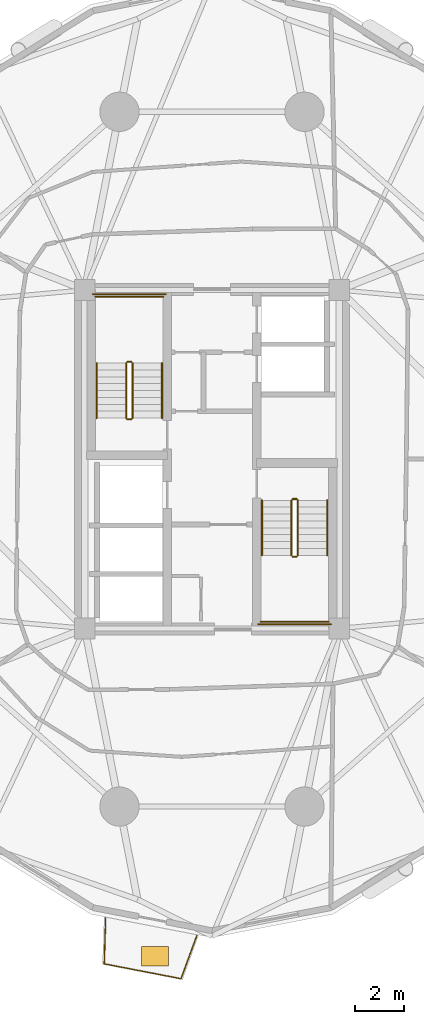
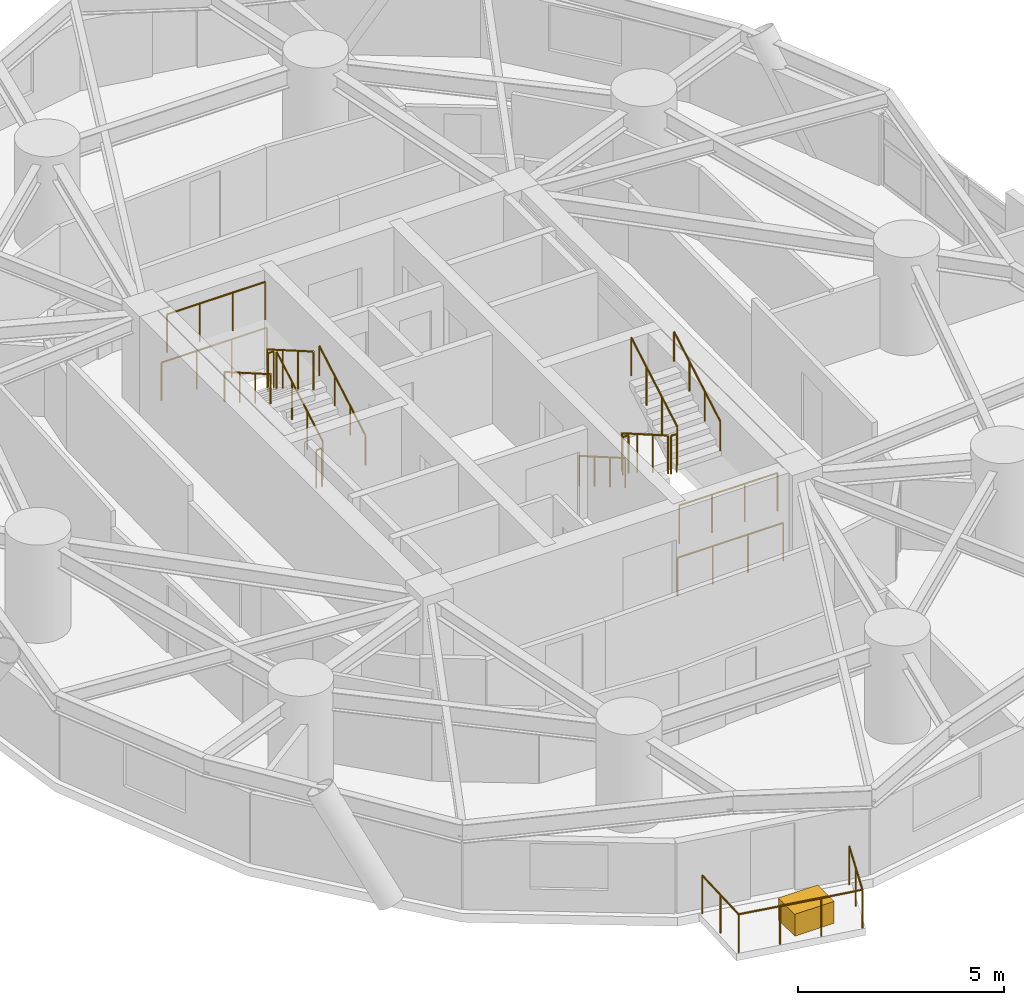
# One storey, part 15 of 17: 17 railings, 1 covering.
"""IFC4 building model written with IfcOpenShell, lengths in metres."""

from ifc_helpers import new_model, si_unit, direction, frame, origin, origin_2d, place, context, subcontext, project, spatial, rectangle, circle, extrude, source, transform, mapped, material, layer, layer_set, type_object, element, save


model = new_model("IFC4")

# Units and contexts
model_context = context("Model", 3, precision=1e-05, world=origin(), true_north=direction((0.0, 1.0)))
body_context = subcontext(model_context, "Body", "Model", "MODEL_VIEW")
ifc_project = project(units=[si_unit("LENGTHUNIT", "METRE"), si_unit("AREAUNIT", "SQUARE_METRE"), si_unit("VOLUMEUNIT", "CUBIC_METRE"), si_unit("PLANEANGLEUNIT", "RADIAN"), si_unit("MASSUNIT", "GRAM", prefix="KILO")], contexts=[model_context])

# Site, building, storey
site_placement = place(None, origin())
site = spatial("IfcSite", under=ifc_project, at=site_placement, CompositionType="ELEMENT")
building_placement = place(site_placement, origin())
building = spatial("IfcBuilding", under=site, at=building_placement, Name="Cununo Teusaquillo Station Towers", CompositionType="ELEMENT")
storey_placement = place(building_placement, frame((0.0, 0.0, 59.830078125)))
storey = spatial("IfcBuildingStorey", under=building, at=storey_placement, Name="L18", CompositionType="ELEMENT", Elevation=59.830078125)

# Railings
ifc_material_1 = material(Name="Anodised dark bronze aluminium EN AW-6063-T6", Category="aluminium")
railing_type_1 = type_object("IfcRailingType", Name="RL-EXT-GUARD", PredefinedType="GUARDRAIL", material=ifc_material_1)
railing_1_placement = place(storey_placement, frame((15.8818359375, 5.12841796875, 0.0)))
element("IfcRailing", 1, at=railing_1_placement, inside=storey, type_object=railing_type_1, Name="L18 Tower A Balcony Guardrail C14", PredefinedType="GUARDRAIL", context=body_context, shape_type="SweptSolid", body=[
    extrude(circle(Radius=0.02392578125, at=origin_2d()), frame((0.0, 0.0, 1.1259765625), z_axis=(-0.343992902358, -0.938972248326, 0.0), x_axis=(0.938972248326, -0.343992902358, 0.0)), (0.0, 0.0, 1.0), 1.86376953125),
    extrude(circle(Radius=0.02392578125, at=origin_2d()), frame((-0.64111328125, -1.75, 1.1259765625), z_axis=(-0.981832956512, 0.189747320158, 0.0), x_axis=(-0.189747320158, -0.981832956512, 0.0)), (0.0, 0.0, 1.0), 3.179443359375),
    extrude(circle(Radius=0.02392578125, at=origin_2d()), frame((-3.7626953125, -1.146728515625, 1.1259765625), z_axis=(0.030654001707, 0.999530055666, 0.0), x_axis=(-0.999530055666, 0.030654001707, 0.0)), (0.0, 0.0, 1.0), 1.86376953125),
    extrude(circle(Radius=0.02099609375, at=origin_2d()), origin(), (0.0, 0.0, 1.0), 1.101806640625),
    extrude(circle(Radius=0.02099609375, at=origin_2d()), frame((-0.320556640625, -0.875, 0.0)), (0.0, 0.0, 1.0), 1.101806640625),
    extrude(circle(Radius=0.02099609375, at=origin_2d()), frame((-0.64111328125, -1.75, 0.0)), (0.0, 0.0, 1.0), 1.101806640625),
    extrude(circle(Radius=0.02099609375, at=origin_2d()), frame((-1.681640625, -1.548828125, 0.0)), (0.0, 0.0, 1.0), 1.101806640625),
    extrude(circle(Radius=0.02099609375, at=origin_2d()), frame((-2.72216796875, -1.347900390625, 0.0)), (0.0, 0.0, 1.0), 1.101806640625),
    extrude(circle(Radius=0.02099609375, at=origin_2d()), frame((-3.7626953125, -1.146728515625, 0.0)), (0.0, 0.0, 1.0), 1.101806640625),
    extrude(circle(Radius=0.02099609375, at=origin_2d()), frame((-3.734130859375, -0.21533203125, 0.0)), (0.0, 0.0, 1.0), 1.101806640625),
    extrude(circle(Radius=0.02099609375, at=origin_2d()), frame((-3.70556640625, 0.716064453125, 0.0)), (0.0, 0.0, 1.0), 1.101806640625),
])
ifc_material_2 = material(Name="Steel EN 10025-2 S355J2", Category="steel")
railing_type_2 = type_object("IfcRailingType", Name="RL-INT-GUARD", PredefinedType="GUARDRAIL", material=ifc_material_2)
railing_2_placement = place(storey_placement, frame((13.27001953125, 26.169921875, 0.16162109375)))
element("IfcRailing", 2, at=railing_2_placement, inside=storey, type_object=railing_type_2, Name="L18 ST-T1-1 stair guard 1", PredefinedType="GUARDRAIL", context=body_context, shape_type="SweptSolid", body=[
    extrude(circle(Radius=0.02392578125, at=origin_2d()), frame((0.0, 0.0, 1.1259765625), z_axis=(0.0, 0.866033117094, 0.499986639918), x_axis=(-1.0, 0.0, 0.0)), (0.0, 0.0, 1.0), 2.58642578125),
    extrude(circle(Radius=0.02099609375, at=origin_2d()), origin(), (0.0, 0.0, 1.0), 1.101806640625),
    extrude(circle(Radius=0.02099609375, at=origin_2d()), frame((0.0, 0.74658203125, 0.43115234375)), (0.0, 0.0, 1.0), 1.101806640625),
    extrude(circle(Radius=0.02099609375, at=origin_2d()), frame((0.0, 1.493408203125, 0.862060546875)), (0.0, 0.0, 1.0), 1.101806640625),
    extrude(circle(Radius=0.02099609375, at=origin_2d()), frame((0.0, 2.239990234375, 1.293212890625)), (0.0, 0.0, 1.0), 1.101806640625),
])
railing_3_placement = place(storey_placement, frame((13.219970703125, 28.4599609375, 1.454833984375)))
element("IfcRailing", 3, at=railing_3_placement, inside=storey, type_object=railing_type_2, Name="L18 ST-T1-1 stair guard 2", PredefinedType="GUARDRAIL", context=body_context, shape_type="SweptSolid", body=[
    extrude(circle(Radius=0.02392578125, at=origin_2d()), frame((0.0, 0.0, 1.1259765625), z_axis=(-1.0, 0.0, 0.0), x_axis=(0.0, -1.0, 0.0)), (0.0, 0.0, 1.0), 0.159912109375),
    extrude(circle(Radius=0.02099609375, at=origin_2d()), origin(), (0.0, 0.0, 1.0), 1.101806640625),
    extrude(circle(Radius=0.02099609375, at=origin_2d()), frame((-0.159912109375, 0.0, 0.0)), (0.0, 0.0, 1.0), 1.101806640625),
])
railing_4_placement = place(storey_placement, frame((14.52001953125, 31.110107421875, 1.454833984375)))
element("IfcRailing", 4, at=railing_4_placement, inside=storey, type_object=railing_type_2, Name="L18 ST-T1-1 stair guard 3", PredefinedType="GUARDRAIL", context=body_context, shape_type="SweptSolid", body=[
    extrude(circle(Radius=0.02392578125, at=origin_2d()), frame((0.0, 0.0, 1.1259765625), z_axis=(-1.0, 0.0, 0.0), x_axis=(0.0, -1.0, 0.0)), (0.0, 0.0, 1.0), 2.760009765625),
    extrude(circle(Radius=0.02099609375, at=origin_2d()), origin(), (0.0, 0.0, 1.0), 1.101806640625),
    extrude(circle(Radius=0.02099609375, at=origin_2d()), frame((-0.919921875, 0.0, 0.0)), (0.0, 0.0, 1.0), 1.101806640625),
    extrude(circle(Radius=0.02099609375, at=origin_2d()), frame((-1.840087890625, 0.0, 0.0)), (0.0, 0.0, 1.0), 1.101806640625),
    extrude(circle(Radius=0.02099609375, at=origin_2d()), frame((-2.760009765625, 0.0, 0.0)), (0.0, 0.0, 1.0), 1.101806640625),
])
railing_5_placement = place(storey_placement, frame((13.010009765625, 28.409912109375, 1.61669921875)))
element("IfcRailing", 5, at=railing_5_placement, inside=storey, type_object=railing_type_2, Name="L18 ST-T1-1 stair guard 4", PredefinedType="GUARDRAIL", context=body_context, shape_type="SweptSolid", body=[
    extrude(circle(Radius=0.02392578125, at=origin_2d()), frame((0.0, 0.0, 1.1259765625), z_axis=(0.0, -0.866033117094, 0.499986639918), x_axis=(1.0, 0.0, 0.0)), (0.0, 0.0, 1.0), 2.58642578125),
    extrude(circle(Radius=0.02099609375, at=origin_2d()), origin(), (0.0, 0.0, 1.0), 1.101806640625),
    extrude(circle(Radius=0.02099609375, at=origin_2d()), frame((0.0, -0.74658203125, 0.43115234375)), (0.0, 0.0, 1.0), 1.101806640625),
    extrude(circle(Radius=0.02099609375, at=origin_2d()), frame((0.0, -1.493408203125, 0.862060546875)), (0.0, 0.0, 1.0), 1.101806640625),
    extrude(circle(Radius=0.02099609375, at=origin_2d()), frame((0.0, -2.239990234375, 1.293212890625)), (0.0, 0.0, 1.0), 1.101806640625),
])
railing_6_placement = place(storey_placement, frame((13.219970703125, 26.1201171875, 0.0)))
element("IfcRailing", 6, at=railing_6_placement, inside=storey, type_object=railing_type_2, Name="L18 ST-T1-1 stair guard 5", PredefinedType="GUARDRAIL", context=body_context, shape_type="SweptSolid", body=[
    extrude(circle(Radius=0.02392578125, at=origin_2d()), frame((0.0, 0.0, 1.1259765625), z_axis=(-1.0, 0.0, 0.0), x_axis=(0.0, -1.0, 0.0)), (0.0, 0.0, 1.0), 0.159912109375),
    extrude(circle(Radius=0.02099609375, at=origin_2d()), origin(), (0.0, 0.0, 1.0), 1.101806640625),
    extrude(circle(Radius=0.02099609375, at=origin_2d()), frame((-0.159912109375, 0.0, 0.0)), (0.0, 0.0, 1.0), 1.101806640625),
])
railing_7_placement = place(storey_placement, frame((14.6201171875, 31.2099609375, 0.0)))
element("IfcRailing", 7, at=railing_7_placement, inside=storey, type_object=railing_type_2, Name="L18 ST-T1-1 stair guard 6", PredefinedType="GUARDRAIL", context=body_context, shape_type="SweptSolid", body=[
    extrude(circle(Radius=0.02392578125, at=origin_2d()), frame((0.0, 0.0, 1.1259765625), z_axis=(-1.0, 0.0, 0.0), x_axis=(0.0, -1.0, 0.0)), (0.0, 0.0, 1.0), 2.960205078125),
    extrude(circle(Radius=0.02099609375, at=origin_2d()), origin(), (0.0, 0.0, 1.0), 1.101806640625),
    extrude(circle(Radius=0.02099609375, at=origin_2d()), frame((-0.98681640625, 0.0, 0.0)), (0.0, 0.0, 1.0), 1.101806640625),
    extrude(circle(Radius=0.02099609375, at=origin_2d()), frame((-1.973388671875, 0.0, 0.0)), (0.0, 0.0, 1.0), 1.101806640625),
    extrude(circle(Radius=0.02099609375, at=origin_2d()), frame((-2.960205078125, 0.0, 0.0)), (0.0, 0.0, 1.0), 1.101806640625),
])
railing_8_placement = place(storey_placement, frame((19.72998046875, 22.830078125, 0.16162109375)))
element("IfcRailing", 8, at=railing_8_placement, inside=storey, type_object=railing_type_2, Name="L18 ST-T1-2 stair guard 1", PredefinedType="GUARDRAIL", context=body_context, shape_type="SweptSolid", body=[
    extrude(circle(Radius=0.02392578125, at=origin_2d()), frame((0.0, 0.0, 1.1259765625), z_axis=(0.0, -0.866033117094, 0.499986639918), x_axis=(1.0, 0.0, 0.0)), (0.0, 0.0, 1.0), 2.58642578125),
    extrude(circle(Radius=0.02099609375, at=origin_2d()), origin(), (0.0, 0.0, 1.0), 1.101806640625),
    extrude(circle(Radius=0.02099609375, at=origin_2d()), frame((0.0, -0.74658203125, 0.43115234375)), (0.0, 0.0, 1.0), 1.101806640625),
    extrude(circle(Radius=0.02099609375, at=origin_2d()), frame((0.0, -1.493408203125, 0.862060546875)), (0.0, 0.0, 1.0), 1.101806640625),
    extrude(circle(Radius=0.02099609375, at=origin_2d()), frame((0.0, -2.239990234375, 1.293212890625)), (0.0, 0.0, 1.0), 1.101806640625),
])
railing_9_placement = place(storey_placement, frame((19.780029296875, 20.5400390625, 1.454833984375)))
element("IfcRailing", 9, at=railing_9_placement, inside=storey, type_object=railing_type_2, Name="L18 ST-T1-2 stair guard 2", PredefinedType="GUARDRAIL", context=body_context, shape_type="SweptSolid", body=[
    extrude(circle(Radius=0.02392578125, at=origin_2d()), frame((0.0, 0.0, 1.1259765625), z_axis=(1.0, 0.0, 0.0), x_axis=(0.0, 1.0, 0.0)), (0.0, 0.0, 1.0), 0.159912109375),
    extrude(circle(Radius=0.02099609375, at=origin_2d()), origin(), (0.0, 0.0, 1.0), 1.101806640625),
    extrude(circle(Radius=0.02099609375, at=origin_2d()), frame((0.159912109375, 0.0, 0.0)), (0.0, 0.0, 1.0), 1.101806640625),
])
railing_10_placement = place(storey_placement, frame((18.47998046875, 17.889892578125, 1.454833984375)))
element("IfcRailing", 10, at=railing_10_placement, inside=storey, type_object=railing_type_2, Name="L18 ST-T1-2 stair guard 3", PredefinedType="GUARDRAIL", context=body_context, shape_type="SweptSolid", body=[
    extrude(circle(Radius=0.02392578125, at=origin_2d()), frame((0.0, 0.0, 1.1259765625), z_axis=(1.0, 0.0, 0.0), x_axis=(0.0, 1.0, 0.0)), (0.0, 0.0, 1.0), 2.760009765625),
    extrude(circle(Radius=0.02099609375, at=origin_2d()), origin(), (0.0, 0.0, 1.0), 1.101806640625),
    extrude(circle(Radius=0.02099609375, at=origin_2d()), frame((0.919921875, 0.0, 0.0)), (0.0, 0.0, 1.0), 1.101806640625),
    extrude(circle(Radius=0.02099609375, at=origin_2d()), frame((1.840087890625, 0.0, 0.0)), (0.0, 0.0, 1.0), 1.101806640625),
    extrude(circle(Radius=0.02099609375, at=origin_2d()), frame((2.760009765625, 0.0, 0.0)), (0.0, 0.0, 1.0), 1.101806640625),
])
railing_11_placement = place(storey_placement, frame((19.989990234375, 20.590087890625, 1.61669921875)))
element("IfcRailing", 11, at=railing_11_placement, inside=storey, type_object=railing_type_2, Name="L18 ST-T1-2 stair guard 4", PredefinedType="GUARDRAIL", context=body_context, shape_type="SweptSolid", body=[
    extrude(circle(Radius=0.02392578125, at=origin_2d()), frame((0.0, 0.0, 1.1259765625), z_axis=(0.0, 0.866033117094, 0.499986639918), x_axis=(-1.0, 0.0, 0.0)), (0.0, 0.0, 1.0), 2.58642578125),
    extrude(circle(Radius=0.02099609375, at=origin_2d()), origin(), (0.0, 0.0, 1.0), 1.101806640625),
    extrude(circle(Radius=0.02099609375, at=origin_2d()), frame((0.0, 0.74658203125, 0.43115234375)), (0.0, 0.0, 1.0), 1.101806640625),
    extrude(circle(Radius=0.02099609375, at=origin_2d()), frame((0.0, 1.493408203125, 0.862060546875)), (0.0, 0.0, 1.0), 1.101806640625),
    extrude(circle(Radius=0.02099609375, at=origin_2d()), frame((0.0, 2.239990234375, 1.293212890625)), (0.0, 0.0, 1.0), 1.101806640625),
])
railing_12_placement = place(storey_placement, frame((19.780029296875, 22.8798828125, 0.0)))
element("IfcRailing", 12, at=railing_12_placement, inside=storey, type_object=railing_type_2, Name="L18 ST-T1-2 stair guard 5", PredefinedType="GUARDRAIL", context=body_context, shape_type="SweptSolid", body=[
    extrude(circle(Radius=0.02392578125, at=origin_2d()), frame((0.0, 0.0, 1.1259765625), z_axis=(1.0, 0.0, 0.0), x_axis=(0.0, 1.0, 0.0)), (0.0, 0.0, 1.0), 0.159912109375),
    extrude(circle(Radius=0.02099609375, at=origin_2d()), origin(), (0.0, 0.0, 1.0), 1.101806640625),
    extrude(circle(Radius=0.02099609375, at=origin_2d()), frame((0.159912109375, 0.0, 0.0)), (0.0, 0.0, 1.0), 1.101806640625),
])
railing_13_placement = place(storey_placement, frame((18.3798828125, 17.7900390625, 0.0)))
element("IfcRailing", 13, at=railing_13_placement, inside=storey, type_object=railing_type_2, Name="L18 ST-T1-2 stair guard 6", PredefinedType="GUARDRAIL", context=body_context, shape_type="SweptSolid", body=[
    extrude(circle(Radius=0.02392578125, at=origin_2d()), frame((0.0, 0.0, 1.1259765625), z_axis=(1.0, 0.0, 0.0), x_axis=(0.0, 1.0, 0.0)), (0.0, 0.0, 1.0), 2.960205078125),
    extrude(circle(Radius=0.02099609375, at=origin_2d()), origin(), (0.0, 0.0, 1.0), 1.101806640625),
    extrude(circle(Radius=0.02099609375, at=origin_2d()), frame((0.98681640625, 0.0, 0.0)), (0.0, 0.0, 1.0), 1.101806640625),
    extrude(circle(Radius=0.02099609375, at=origin_2d()), frame((1.973388671875, 0.0, 0.0)), (0.0, 0.0, 1.0), 1.101806640625),
    extrude(circle(Radius=0.02099609375, at=origin_2d()), frame((2.960205078125, 0.0, 0.0)), (0.0, 0.0, 1.0), 1.101806640625),
])
ifc_material_3 = material(Name="Steel EN 10025-2 S355J2", Category="steel")
railing_type_3 = type_object("IfcRailingType", Name="RL-INT-HRAIL", PredefinedType="HANDRAIL", material=ifc_material_3)
railing_14_placement = place(storey_placement, frame((14.469970703125, 26.169921875, 0.16162109375)))
element("IfcRailing", 14, at=railing_14_placement, inside=storey, type_object=railing_type_3, Name="L18 ST-T1-1 stair handrail 1", PredefinedType="HANDRAIL", context=body_context, shape_type="SweptSolid", body=[
    extrude(circle(Radius=0.02392578125, at=origin_2d()), frame((0.0, 0.0, 0.8759765625), z_axis=(0.0, 0.866033117094, 0.499986639918), x_axis=(-1.0, 0.0, 0.0)), (0.0, 0.0, 1.0), 2.58642578125),
    extrude(circle(Radius=0.02099609375, at=origin_2d()), origin(), (0.0, 0.0, 1.0), 0.851806640625),
    extrude(circle(Radius=0.02099609375, at=origin_2d()), frame((0.0, 0.74658203125, 0.43115234375)), (0.0, 0.0, 1.0), 0.851806640625),
    extrude(circle(Radius=0.02099609375, at=origin_2d()), frame((0.0, 1.493408203125, 0.862060546875)), (0.0, 0.0, 1.0), 0.851806640625),
    extrude(circle(Radius=0.02099609375, at=origin_2d()), frame((0.0, 2.239990234375, 1.293212890625)), (0.0, 0.0, 1.0), 0.851806640625),
])
for number, where, name in (
    (15, (11.81005859375, 28.409912109375, 1.61669921875), "L18 ST-T1-1 stair handrail 2"),
    (16, (18.530029296875, 22.830078125, 0.16162109375), "L18 ST-T1-2 stair handrail 1"),
):
    element("IfcRailing", number, at=place(storey_placement, frame(where)), inside=storey, type_object=railing_type_3, Name=name, PredefinedType="HANDRAIL", context=body_context, shape_type="SweptSolid", body=[
        extrude(circle(Radius=0.02392578125, at=origin_2d()), frame((0.0, 0.0, 0.8759765625), z_axis=(0.0, -0.866033117094, 0.499986639918), x_axis=(1.0, 0.0, 0.0)), (0.0, 0.0, 1.0), 2.58642578125),
        extrude(circle(Radius=0.02099609375, at=origin_2d()), origin(), (0.0, 0.0, 1.0), 0.851806640625),
        extrude(circle(Radius=0.02099609375, at=origin_2d()), frame((0.0, -0.74658203125, 0.43115234375)), (0.0, 0.0, 1.0), 0.851806640625),
        extrude(circle(Radius=0.02099609375, at=origin_2d()), frame((0.0, -1.493408203125, 0.862060546875)), (0.0, 0.0, 1.0), 0.851806640625),
        extrude(circle(Radius=0.02099609375, at=origin_2d()), frame((0.0, -2.239990234375, 1.293212890625)), (0.0, 0.0, 1.0), 0.851806640625),
    ])
railing_15_placement = place(storey_placement, frame((21.18994140625, 20.590087890625, 1.61669921875)))
element("IfcRailing", 17, at=railing_15_placement, inside=storey, type_object=railing_type_3, Name="L18 ST-T1-2 stair handrail 2", PredefinedType="HANDRAIL", context=body_context, shape_type="SweptSolid", body=[
    extrude(circle(Radius=0.02392578125, at=origin_2d()), frame((0.0, 0.0, 0.8759765625), z_axis=(0.0, 0.866033117094, 0.499986639918), x_axis=(-1.0, 0.0, 0.0)), (0.0, 0.0, 1.0), 2.58642578125),
    extrude(circle(Radius=0.02099609375, at=origin_2d()), origin(), (0.0, 0.0, 1.0), 0.851806640625),
    extrude(circle(Radius=0.02099609375, at=origin_2d()), frame((0.0, 0.74658203125, 0.43115234375)), (0.0, 0.0, 1.0), 0.851806640625),
    extrude(circle(Radius=0.02099609375, at=origin_2d()), frame((0.0, 1.493408203125, 0.862060546875)), (0.0, 0.0, 1.0), 0.851806640625),
    extrude(circle(Radius=0.02099609375, at=origin_2d()), frame((0.0, 2.239990234375, 1.293212890625)), (0.0, 0.0, 1.0), 0.851806640625),
])

# Covering
ifc_material_4 = material(Name="Architectural GRC planter shell and engineered root-zone substrate", Category="concrete")
ifc_layer = layer(ifc_material_4, 0.64990234375)
ifc_layer_set = layer_set([ifc_layer], Name="Architectural GRC planter shell and engineered root-zone substrate")
covering_type = type_object("IfcCoveringType", Name="COV-TREE-PLANTER", PredefinedType="CLADDING", material=ifc_layer_set)
shared_shape = source(origin(), body_context, "Body", "SweptSolid", [
    extrude(rectangle(XDim=1.10009765625, YDim=0.800048828125, at=origin_2d()), origin(), (0.0, 0.0, 1.0), 0.64990234375),
])
covering_placement = place(storey_placement, frame((14.189453125, 4.287841796875, 0.0), z_axis=(0.0, 0.0, 1.0), x_axis=(1.0, 0.0, 0.0)))
element("IfcCovering", 18, at=covering_placement, inside=storey, type_object=covering_type, Name="L18 Tower A Balcony Tree PLANTER C14", PredefinedType="CLADDING", context=body_context, shape_type="MappedRepresentation", body=[
    mapped(shared_shape, transform((0.0, 0.0, 0.0), x_axis=(1.0, 0.0, 0.0), y_axis=(0.0, 1.0, 0.0), z_axis=(0.0, 0.0, 1.0), scale=1.0)),
])

save(model, "model.ifc")
